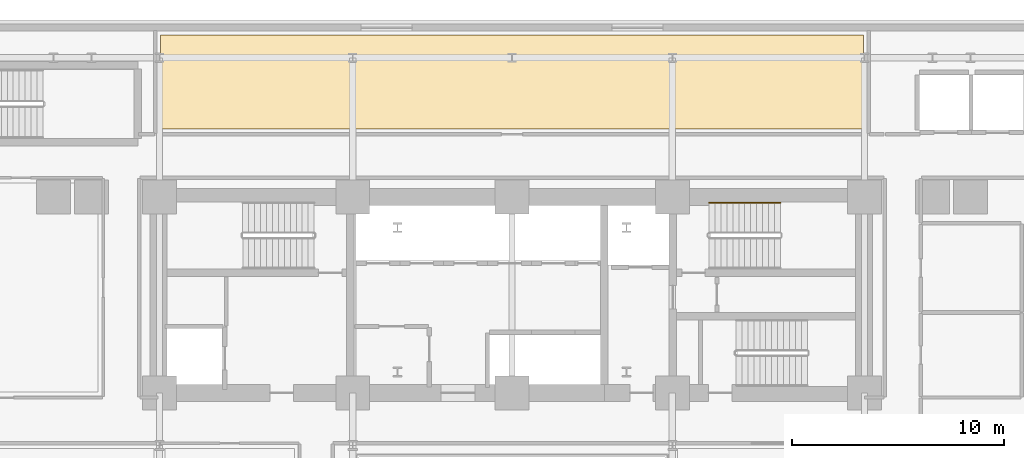
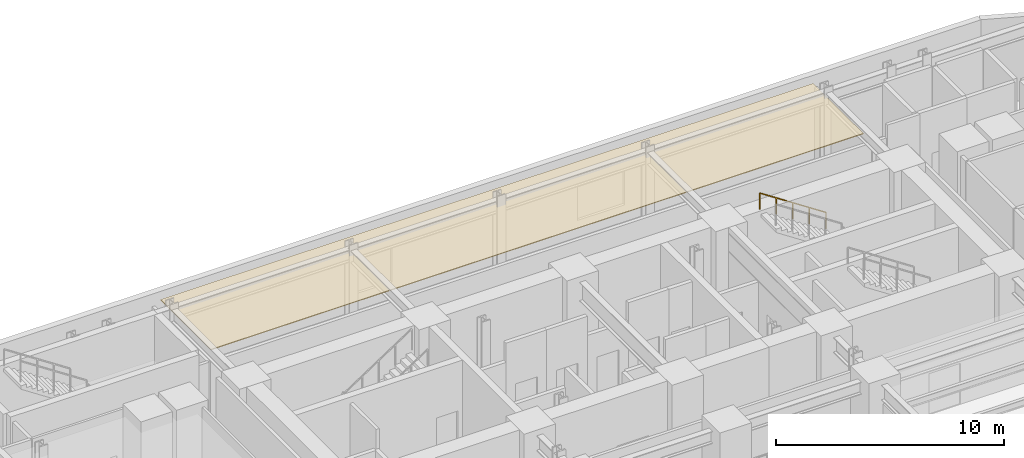
# One storey, part 16 of 16: 1 covering, 1 railing.
"""IFC4 building model written with IfcOpenShell, lengths in metres."""

from ifc_helpers import new_model, si_unit, direction, frame, origin, origin_2d, place, context, subcontext, project, spatial, polyline, rectangle, outline, extrude, material, layer, layer_set, type_object, element, save


model = new_model("IFC4")

# Units and contexts
model_context = context("Model", 3, precision=1e-05, world=origin(), true_north=direction((0.0, 1.0)))
body_context = subcontext(model_context, "Body", "Model", "MODEL_VIEW")
ifc_project = project(units=[si_unit("LENGTHUNIT", "METRE"), si_unit("AREAUNIT", "SQUARE_METRE"), si_unit("VOLUMEUNIT", "CUBIC_METRE"), si_unit("PLANEANGLEUNIT", "RADIAN"), si_unit("MASSUNIT", "GRAM", prefix="KILO")], contexts=[model_context])

# Site, building, storey
site_placement = place(None, origin())
site = spatial("IfcSite", under=ifc_project, at=site_placement, CompositionType="ELEMENT")
building_placement = place(site_placement, origin())
building = spatial("IfcBuilding", under=site, at=building_placement, Name="Zarnavel Station Tower", CompositionType="ELEMENT")
storey_placement = place(building_placement, frame((0.0, 0.0, 19.39990234375)))
storey = spatial("IfcBuildingStorey", under=building, at=storey_placement, Name="L05", CompositionType="ELEMENT", Elevation=19.39990234375)

# Covering
ifc_material_1 = material(Name="Perforated Gypsum and Mineral-Wool Acoustic Ceiling", Category="concrete")
ifc_layer = layer(ifc_material_1, 0.0400390625)
ifc_layer_set = layer_set([ifc_layer], Name="COV_CEIL_ACOUSTIC")
covering_type = type_object("IfcCoveringType", Name="COV_CEIL_ACOUSTIC", PredefinedType="CEILING", material=ifc_layer_set)
covering_placement = place(storey_placement, frame((0.0, 0.0, 4.18017578125)))
element("IfcCovering", 1, at=covering_placement, inside=storey, type_object=covering_type, Name="L05 BQK Acoustic Ceiling", PredefinedType="CEILING", context=body_context, shape_type="SweptSolid", body=[
    extrude(outline(polyline([(12.25, 40.25), (45.35009765625, 40.25), (45.35009765625, 44.669921875), (12.25, 44.669921875), (12.25, 40.25)])), origin(), (0.0, 0.0, 1.0), 0.0400390625),
])

# Railing
ifc_material_2 = material(Name="Brushed Stainless Steel S355J2 Handrail", Category="steel")
railing_type = type_object("IfcRailingType", Name="HR_STAIR_900", PredefinedType="HANDRAIL", material=ifc_material_2)
railing_placement = place(storey_placement, frame((41.43994140625, 36.77001953125, 2.584716796875)))
element("IfcRailing", 2, at=railing_placement, inside=storey, type_object=railing_type, Name="L05 ST2 stair handrail 2", PredefinedType="HANDRAIL", context=body_context, shape_type="SweptSolid", body=[
    extrude(rectangle(XDim=0.048095703125, YDim=0.048095703125, at=origin_2d()), frame((-0.001708984375, 0.0, 0.876953125), z_axis=(-0.834858096282, 0.0, 0.550465220583), x_axis=(0.0, -1.0, 0.0)), (0.0, 0.0, 1.0), 4.0205078125),
    extrude(rectangle(XDim=0.0419921875, YDim=0.0419921875, at=origin_2d()), origin(), (0.0, 0.0, 1.0), 0.851806640625),
    extrude(rectangle(XDim=0.0419921875, YDim=0.0419921875, at=origin_2d()), frame((-0.83984375, 0.0, 0.5537109375)), (0.0, 0.0, 1.0), 0.851806640625),
    extrude(rectangle(XDim=0.0419921875, YDim=0.0419921875, at=origin_2d()), frame((-1.679931640625, 0.0, 1.107666015625)), (0.0, 0.0, 1.0), 0.851806640625),
    extrude(rectangle(XDim=0.0419921875, YDim=0.0419921875, at=origin_2d()), frame((-2.52001953125, 0.0, 1.66162109375)), (0.0, 0.0, 1.0), 0.851806640625),
    extrude(rectangle(XDim=0.0419921875, YDim=0.0419921875, at=origin_2d()), frame((-3.35986328125, 0.0, 2.21533203125)), (0.0, 0.0, 1.0), 0.851806640625),
])

save(model, "model.ifc")
